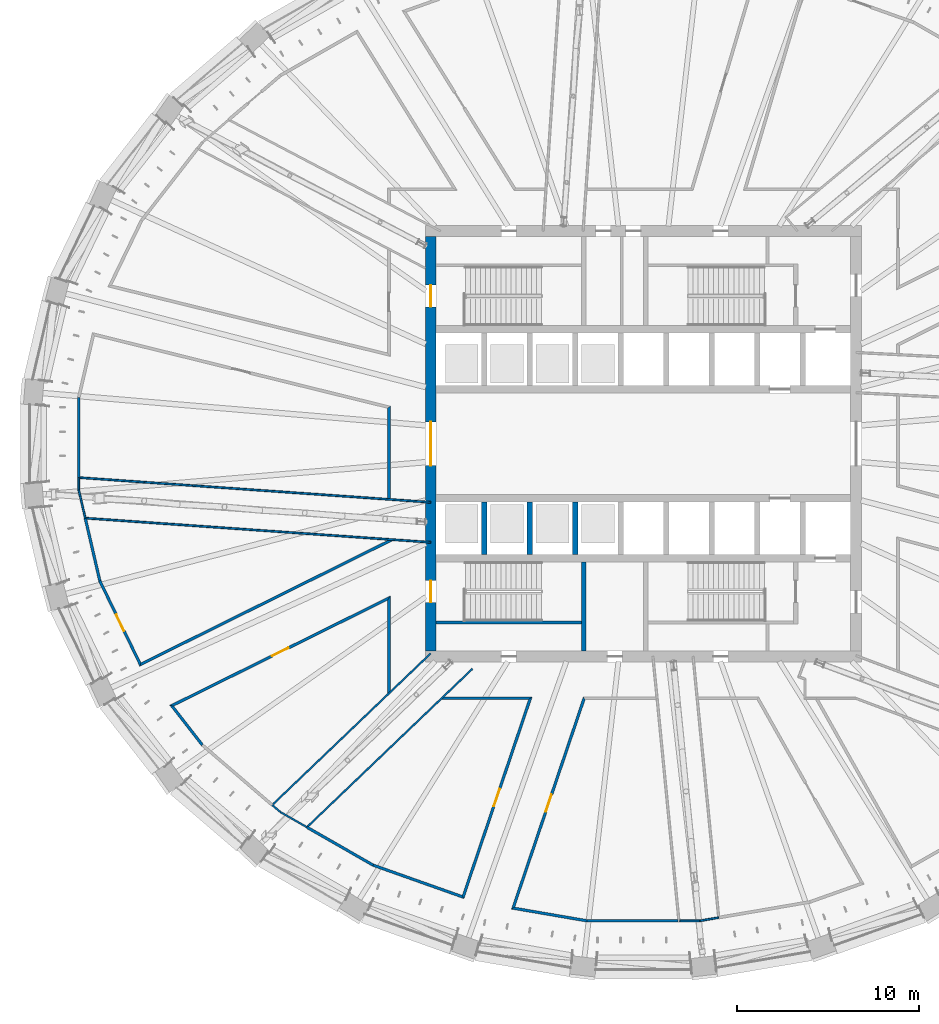
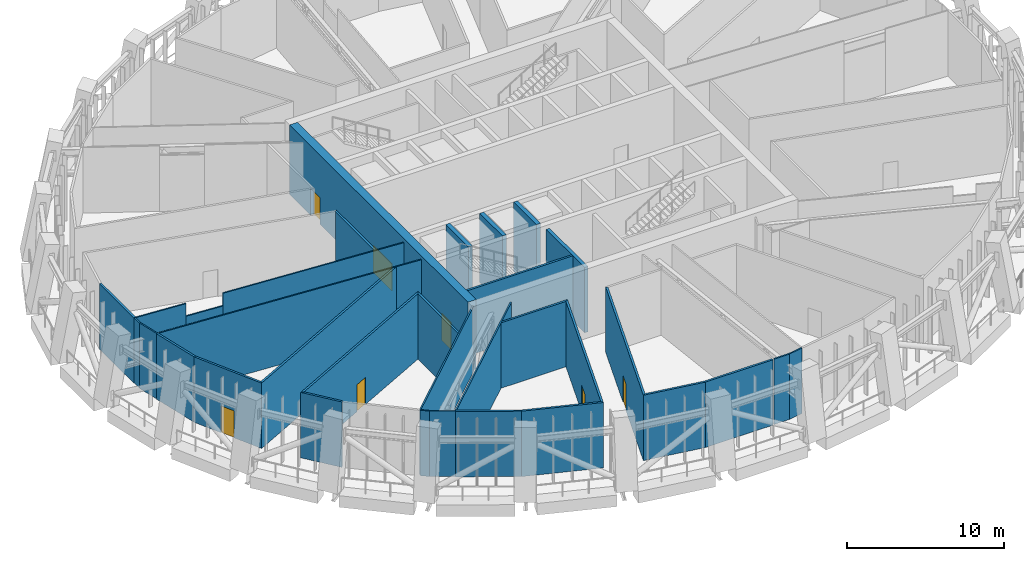
# One storey, part 7 of 21: 33 walls, 7 doors, 7 openings.
"""IFC4 building model written with IfcOpenShell, lengths in metres."""

from ifc_helpers import new_model, si_unit, direction, frame, frame_2d, origin, place, context, subcontext, project, spatial, polyline, rectangle, outline, extrude, material, layer, layer_set, type_object, element, fill, save


model = new_model("IFC4")

# Units and contexts
model_context = context("Model", 3, precision=1e-05, world=origin(), true_north=direction((0.0, 1.0)))
body_context = subcontext(model_context, "Body", "Model", "MODEL_VIEW")
ifc_project = project(units=[si_unit("LENGTHUNIT", "METRE"), si_unit("AREAUNIT", "SQUARE_METRE"), si_unit("VOLUMEUNIT", "CUBIC_METRE"), si_unit("PLANEANGLEUNIT", "RADIAN"), si_unit("MASSUNIT", "GRAM", prefix="KILO")], contexts=[model_context])

# Site, building, storey
site_placement = place(None, origin())
site = spatial("IfcSite", under=ifc_project, at=site_placement, CompositionType="ELEMENT")
building_placement = place(site_placement, origin())
building = spatial("IfcBuilding", under=site, at=building_placement, Name="Halqa Exchange Tower", CompositionType="ELEMENT")
storey_placement = place(building_placement, frame((0.0, 0.0, 173.5)))
storey = spatial("IfcBuildingStorey", under=building, at=storey_placement, Name="L39", CompositionType="ELEMENT", Elevation=173.5)

# Walls
ifc_material_1 = material(Name="Fire-rated gypsum board")
ifc_layer_1 = layer(ifc_material_1, 0.14990234375)
ifc_layer_set_1 = layer_set([ifc_layer_1], Name="Fire-rated gypsum board")
wall_type_1 = type_object("IfcWallType", Name="Fire partition EI 60 150", PredefinedType="PARTITIONING", material=ifc_layer_set_1)
wall_1_placement = place(storey_placement, frame((-31.06005859375, 2.548583984375, 0.0), z_axis=(0.0, 0.0, 1.0), x_axis=(0.0, -1.0, 0.0)))
element("IfcWall", 1, at=wall_1_placement, inside=storey, type_object=wall_type_1, Name="L39-PWL-004", PredefinedType="PARTITIONING", context=body_context, shape_type="SweptSolid", body=[
    extrude(outline(polyline([(4.40869140625, 0.074951171875), (2.94482421875, 0.074951171875), (1.48095703125, 0.074951171875), (0.01708984375, 0.074951171875), (0.0, -0.07470703125), (0.0, -0.074951171875), (1.469482421875, -0.074951171875), (2.939208984375, -0.074951171875), (4.40869140625, -0.074951171875), (4.40869140625, 0.074951171875)])), origin(), (0.0, 0.0, 1.0), 5.10009765625),
])
wall_2_placement = place(storey_placement, frame((-30.699951171875, -4.090087890625, 0.0), z_axis=(0.0, 0.0, 1.0), x_axis=(0.225863996514, -0.974158844891, 0.0)))
element("IfcWall", 2, at=wall_2_placement, inside=storey, type_object=wall_type_1, Name="L39-PWL-005", PredefinedType="PARTITIONING", context=body_context, shape_type="SweptSolid", body=[
    extrude(outline(polyline([(3.5498046875, -0.074951171875), (3.5498046875, -0.074462890625), (3.532958984375, 0.074951171875), (1.7666015625, 0.074951171875), (0.0, 0.074951171875), (0.0, -0.074951171875), (1.77490234375, -0.074951171875), (3.5498046875, -0.074951171875)])), origin(), (0.0, 0.0, 1.0), 5.10009765625),
])

# Wall, opening, door
wall_3_placement = place(storey_placement, frame((-29.90380859375, -7.532470703125, 0.0), z_axis=(0.0, 0.0, 1.0), x_axis=(0.436260825618, -0.899820255402, 0.0)))
wall_3 = element("IfcWall", 3, at=wall_3_placement, inside=storey, type_object=wall_type_1, Name="L39-PWL-008", PredefinedType="PARTITIONING", context=body_context, shape_type="SweptSolid", body=[
    extrude(outline(polyline([(0.0, -0.074951171875), (1.73193359375, -0.074951171875), (3.464111328125, -0.074951171875), (5.196044921875, -0.074951171875), (5.044677734375, 0.074951171875), (3.368896484375, 0.074951171875), (1.69287109375, 0.074951171875), (0.016845703125, 0.074951171875), (0.0, -0.074951171875)])), origin(), (0.0, 0.0, 1.0), 5.10009765625),
])
opening_1_placement = place(wall_3_placement, frame((2.064453125, 0.0, 0.0)))
opening_1 = element("IfcOpeningElement", 4, at=opening_1_placement, cuts=wall_3, Name="Opening L39-01", PredefinedType="OPENING", context=body_context, shape_type="SweptSolid", body=[
    extrude(rectangle(XDim=1.0, YDim=2.10009765625, at=frame_2d((0.5, 1.050048828125))), frame((0.0, 0.0869140625, 0.0), z_axis=(0.0, -1.0, 0.0), x_axis=(1.0, 0.0, 0.0)), (0.0, 0.0, 1.0), 0.173828125),
])
ifc_material_2 = material(Name="Steel fire door leaf", Category="steel")
door_type_1 = type_object("IfcDoorType", Name="Fire door FD30S 1000 x 2100", OperationType="SINGLE_SWING_LEFT", PredefinedType="DOOR", material=ifc_material_2)
door_1_placement = place(opening_1_placement, origin())
door_1 = element("IfcDoor", 5, at=door_1_placement, inside=storey, type_object=door_type_1, Name="L39-IDR-001", OperationType="SINGLE_SWING_LEFT", OverallHeight=2.10009765625, OverallWidth=1.0, PredefinedType="DOOR", context=body_context, shape_type="SweptSolid", body=[
    extrude(rectangle(XDim=1.0, YDim=2.10009765625, at=frame_2d((0.5, 1.050048828125))), frame((0.0, 0.02490234375, 0.0), z_axis=(0.0, -1.0, 0.0), x_axis=(1.0, 0.0, 0.0)), (0.0, 0.0, 1.0), 0.050048828125),
])
fill(opening_1, door_1)

# Wall
wall_4_placement = place(storey_placement, frame((-27.73779296875, -12.173583984375, 0.0), z_axis=(0.0, 0.0, 1.0), x_axis=(0.895862761008, 0.444330860327, 0.0)))
element("IfcWall", 6, at=wall_4_placement, inside=storey, type_object=wall_type_1, Name="L39-PWL-010", PredefinedType="PARTITIONING", context=body_context, shape_type="SweptSolid", body=[
    extrude(outline(polyline([(0.0, -0.074951171875), (1.945068359375, -0.074951171875), (3.89013671875, -0.074951171875), (5.835205078125, -0.074951171875), (7.7802734375, -0.074951171875), (9.725341796875, -0.074951171875), (11.67041015625, -0.074951171875), (13.61572265625, -0.074951171875), (15.560791015625, -0.074951171875), (15.30517578125, 0.074951171875), (13.410888671875, 0.074951171875), (11.5166015625, 0.074951171875), (9.62255859375, 0.074951171875), (7.728271484375, 0.074951171875), (5.833984375, 0.074951171875), (3.939697265625, 0.074951171875), (2.045654296875, 0.074951171875), (0.1513671875, 0.074951171875), (0.1513671875, 0.074951171875), (0.07568359375, 0.0), (0.0, -0.074951171875)])), origin(), (0.0, 0.0, 1.0), 5.10009765625),
])

# Wall, opening, door
wall_5_placement = place(storey_placement, frame((-26.025146484375, -14.447265625, 0.0), z_axis=(0.0, 0.0, 1.0), x_axis=(0.896069053311, 0.443914689663, 0.0)))
wall_5 = element("IfcWall", 7, at=wall_5_placement, inside=storey, type_object=wall_type_1, Name="L39-PWL-012", PredefinedType="PARTITIONING", context=body_context, shape_type="SweptSolid", body=[
    extrude(outline(polyline([(0.183837890625, -0.074951171875), (2.057373046875, -0.074951171875), (3.930908203125, -0.074951171875), (5.8046875, -0.074951171875), (7.67822265625, -0.074951171875), (9.5517578125, -0.074951171875), (11.425537109375, -0.074951171875), (13.299072265625, -0.074951171875), (13.540771484375, 0.074951171875), (11.6064453125, 0.074951171875), (9.671875, 0.074951171875), (7.737548828125, 0.074951171875), (5.80322265625, 0.074951171875), (3.868896484375, 0.074951171875), (1.9345703125, 0.074951171875), (0.000244140625, 0.074951171875), (0.183837890625, -0.074951171875)])), origin(), (0.0, 0.0, 1.0), 5.10009765625),
])
opening_2_placement = place(wall_5_placement, frame((6.25634765625, 0.0, 0.0)))
opening_2 = element("IfcOpeningElement", 8, at=opening_2_placement, cuts=wall_5, Name="Opening L39-02", PredefinedType="OPENING", context=body_context, shape_type="SweptSolid", body=[
    extrude(rectangle(XDim=1.0, YDim=2.10009765625, at=frame_2d((0.5, 1.050048828125))), frame((0.0, 0.0869140625, 0.0), z_axis=(0.0, -1.0, 0.0), x_axis=(1.0, 0.0, 0.0)), (0.0, 0.0, 1.0), 0.173828125),
])
door_2_placement = place(opening_2_placement, frame((1.0, 0.0, 0.0), z_axis=(0.0, 0.0, 1.0), x_axis=(-1.0, 0.0, 0.0)))
door_2 = element("IfcDoor", 9, at=door_2_placement, inside=storey, type_object=door_type_1, Name="L39-IDR-002", OperationType="SINGLE_SWING_RIGHT", OverallHeight=2.10009765625, OverallWidth=1.0, PredefinedType="DOOR", context=body_context, shape_type="SweptSolid", body=[
    extrude(rectangle(XDim=1.0, YDim=2.10009765625, at=frame_2d((0.5, 1.050048828125))), frame((0.0, 0.02490234375, 0.0), z_axis=(0.0, -1.0, 0.0), x_axis=(1.0, 0.0, 0.0)), (0.0, 0.0, 1.0), 0.050048828125),
])
fill(opening_2, door_2)

# Walls
wall_6_placement = place(storey_placement, frame((-25.999267578125, -14.333984375, 0.0), z_axis=(0.0, 0.0, 1.0), x_axis=(0.613976317257, -0.789324446503, 0.0)))
element("IfcWall", 10, at=wall_6_placement, inside=storey, type_object=wall_type_1, Name="L39-PWL-013", PredefinedType="PARTITIONING", context=body_context, shape_type="SweptSolid", body=[
    extrude(outline(polyline([(0.0, -0.074951171875), (1.420166015625, -0.074951171875), (2.84033203125, -0.074951171875), (2.8251953125, 0.074951171875), (1.50439453125, 0.074951171875), (0.18359375, 0.074951171875), (0.0, -0.074951171875), (0.0, -0.074951171875)])), origin(), (0.0, 0.0, 1.0), 5.10009765625),
])
wall_7_placement = place(storey_placement, frame((-18.510009765625, -21.090087890625, 0.0), z_axis=(0.0, 0.0, 1.0), x_axis=(0.867822013589, -0.496875188281, 0.0)))
element("IfcWall", 11, at=wall_7_placement, inside=storey, type_object=wall_type_1, Name="L39-PWL-025", PredefinedType="PARTITIONING", context=body_context, shape_type="SweptSolid", body=[
    extrude(outline(polyline([(0.0, -0.074951171875), (1.404296875, -0.074951171875), (2.80859375, -0.074951171875), (4.212646484375, -0.074951171875), (4.19921875, 0.074951171875), (2.799560546875, 0.074951171875), (1.399658203125, 0.074951171875), (0.0, 0.074951171875), (0.0, -0.074951171875)])), origin(), (0.0, 0.0, 1.0), 5.10009765625),
])
wall_8_placement = place(storey_placement, frame((-14.866455078125, -23.177734375, 0.0), z_axis=(0.0, 0.0, 1.0), x_axis=(0.942606176861, -0.333906566786, 0.0)))
element("IfcWall", 12, at=wall_8_placement, inside=storey, type_object=wall_type_1, Name="L39-PWL-028", PredefinedType="PARTITIONING", context=body_context, shape_type="SweptSolid", body=[
    extrude(outline(polyline([(0.0, -0.074951171875), (1.774658203125, -0.074951171875), (3.549072265625, -0.074951171875), (5.32373046875, -0.074951171875), (5.171630859375, 0.074951171875), (3.4521484375, 0.074951171875), (1.73291015625, 0.074951171875), (0.013671875, 0.074951171875), (0.0, -0.074951171875)])), origin(), (0.0, 0.0, 1.0), 5.10009765625),
])
wall_9_placement = place(storey_placement, frame((-14.0, -13.732421875, 0.0), z_axis=(0.0, 0.0, 1.0), x_axis=(0.0, 1.0, 0.0)))
element("IfcWall", 13, at=wall_9_placement, inside=storey, type_object=wall_type_1, Name="L39-PWL-029", PredefinedType="PARTITIONING", context=body_context, shape_type="SweptSolid", body=[
    extrude(outline(polyline([(0.1435546875, -0.074951171875), (1.883544921875, -0.074951171875), (3.623291015625, -0.074951171875), (5.36328125, -0.074951171875), (5.242431640625, 0.0), (5.12158203125, 0.074951171875), (3.41455078125, 0.074951171875), (1.707275390625, 0.074951171875), (0.000244140625, 0.074951171875), (0.1435546875, -0.074951171875)])), origin(), (0.0, 0.0, 1.0), 5.10009765625),
])
wall_10_placement = place(storey_placement, frame((-14.0, -3.013427734375, 0.0), z_axis=(0.0, 0.0, 1.0), x_axis=(0.0, 1.0, 0.0)))
element("IfcWall", 14, at=wall_10_placement, inside=storey, type_object=wall_type_1, Name="L39-PWL-030", PredefinedType="PARTITIONING", context=body_context, shape_type="SweptSolid", body=[
    extrude(outline(polyline([(5.08203125, -0.074951171875), (5.08203125, -0.074951171875), (5.0234375, 0.0), (4.96484375, 0.074951171875), (3.313232421875, 0.074951171875), (1.661865234375, 0.074951171875), (0.010498046875, 0.074951171875), (0.0, -0.07275390625), (0.0, -0.074951171875), (1.694091796875, -0.074951171875), (3.387939453125, -0.074951171875), (5.08203125, -0.074951171875)])), origin(), (0.0, 0.0, 1.0), 5.10009765625),
])

# Wall, opening, door
wall_11_placement = place(storey_placement, frame((-9.9443359375, -25.001953125, 0.0), z_axis=(0.0, 0.0, 1.0), x_axis=(0.320636430017, 0.947202343613, 0.0)))
wall_11 = element("IfcWall", 15, at=wall_11_placement, inside=storey, type_object=wall_type_1, Name="L39-PWL-036", PredefinedType="PARTITIONING", context=body_context, shape_type="SweptSolid", body=[
    extrude(outline(polyline([(0.0, -0.074951171875), (1.953369140625, -0.074951171875), (3.906494140625, -0.074951171875), (5.85986328125, -0.074951171875), (7.81298828125, -0.074951171875), (9.766357421875, -0.074951171875), (11.7197265625, -0.074951171875), (11.5107421875, 0.074951171875), (9.617431640625, 0.074951171875), (7.724365234375, 0.074951171875), (5.831298828125, 0.074951171875), (3.938232421875, 0.074951171875), (2.045166015625, 0.074951171875), (0.15185546875, 0.074951171875), (0.0, -0.074951171875), (0.0, -0.074951171875)])), origin(), (0.0, 0.0, 1.0), 5.10009765625),
])
opening_3_placement = place(wall_11_placement, frame((5.345703125, 0.0, 0.0)))
opening_3 = element("IfcOpeningElement", 16, at=opening_3_placement, cuts=wall_11, Name="Opening L39-03", PredefinedType="OPENING", context=body_context, shape_type="SweptSolid", body=[
    extrude(rectangle(XDim=1.0, YDim=2.10009765625, at=frame_2d((0.5, 1.050048828125))), frame((0.0, 0.0869140625, 0.0), z_axis=(0.0, -1.0, 0.0), x_axis=(1.0, 0.0, 0.0)), (0.0, 0.0, 1.0), 0.173828125),
])
door_3_placement = place(opening_3_placement, origin())
door_3 = element("IfcDoor", 17, at=door_3_placement, inside=storey, type_object=door_type_1, Name="L39-IDR-003", OperationType="SINGLE_SWING_LEFT", OverallHeight=2.10009765625, OverallWidth=1.0, PredefinedType="DOOR", context=body_context, shape_type="SweptSolid", body=[
    extrude(rectangle(XDim=1.0, YDim=2.10009765625, at=frame_2d((0.5, 1.050048828125))), frame((0.0, 0.02490234375, 0.0), z_axis=(0.0, -1.0, 0.0), x_axis=(1.0, 0.0, 0.0)), (0.0, 0.0, 1.0), 0.050048828125),
])
fill(opening_3, door_3)

# Walls
wall_12_placement = place(storey_placement, frame((-7.256591796875, -25.525146484375, 0.0), z_axis=(0.0, 0.0, 1.0), x_axis=(0.985526115986, -0.16952367006, 0.0)))
element("IfcWall", 18, at=wall_12_placement, inside=storey, type_object=wall_type_1, Name="L39-PWL-038", PredefinedType="PARTITIONING", context=body_context, shape_type="SweptSolid", body=[
    extrude(outline(polyline([(4.223876953125, -0.074951171875), (4.223876953125, -0.0732421875), (4.211181640625, 0.074951171875), (2.865966796875, 0.074951171875), (1.520751953125, 0.074951171875), (0.175537109375, 0.074951171875), (0.0, -0.074951171875), (1.407958984375, -0.074951171875), (2.81591796875, -0.074951171875), (4.223876953125, -0.074951171875)])), origin(), (0.0, 0.0, 1.0), 5.10009765625),
])
wall_13_placement = place(storey_placement, frame((-6.115478515625, -14.0, 0.0), z_axis=(0.0, 0.0, 1.0), x_axis=(-1.0, 0.0, 0.0)))
element("IfcWall", 19, at=wall_13_placement, inside=storey, type_object=wall_type_1, Name="L39-PWL-040", PredefinedType="PARTITIONING", context=body_context, shape_type="SweptSolid", body=[
    extrude(outline(polyline([(0.0, -0.074951171875), (1.611328125, -0.074951171875), (3.22265625, -0.074951171875), (4.833740234375, -0.074951171875), (4.990478515625, 0.074951171875), (3.396728515625, 0.074951171875), (1.802978515625, 0.074951171875), (0.208984375, 0.074951171875), (0.1044921875, 0.0), (0.0, -0.074951171875)])), origin(), (0.0, 0.0, 1.0), 5.10009765625),
])

# Wall, opening, door
wall_14_placement = place(storey_placement, frame((-3.24267578125, -13.94921875, 0.0), z_axis=(0.0, 0.0, 1.0), x_axis=(-0.320918229821, -0.947106905142, 0.0)))
wall_14 = element("IfcWall", 20, at=wall_14_placement, inside=storey, type_object=wall_type_1, Name="L39-PWL-044", PredefinedType="PARTITIONING", context=body_context, shape_type="SweptSolid", body=[
    extrude(outline(polyline([(12.32568359375, -0.074951171875), (12.32568359375, -0.07470703125), (12.150390625, 0.074951171875), (10.429931640625, 0.074951171875), (8.709716796875, 0.074951171875), (6.9892578125, 0.074951171875), (5.268798828125, 0.074951171875), (3.54833984375, 0.074951171875), (1.827880859375, 0.074951171875), (0.107421875, 0.074951171875), (0.0, -0.074951171875), (0.0, -0.074951171875), (1.7607421875, -0.074951171875), (3.521728515625, -0.074951171875), (5.282470703125, -0.074951171875), (7.043212890625, -0.074951171875), (8.803955078125, -0.074951171875), (10.56494140625, -0.074951171875), (12.32568359375, -0.074951171875)])), origin(), (0.0, 0.0, 1.0), 5.10009765625),
])
opening_4_placement = place(wall_14_placement, frame((5.64599609375, 0.0, 0.0)))
opening_4 = element("IfcOpeningElement", 21, at=opening_4_placement, cuts=wall_14, Name="Opening L39-04", PredefinedType="OPENING", context=body_context, shape_type="SweptSolid", body=[
    extrude(rectangle(XDim=1.0, YDim=2.10009765625, at=frame_2d((0.5, 1.050048828125))), frame((0.0, 0.0869140625, 0.0), z_axis=(0.0, -1.0, 0.0), x_axis=(1.0, 0.0, 0.0)), (0.0, 0.0, 1.0), 0.173828125),
])
door_4_placement = place(opening_4_placement, origin())
door_4 = element("IfcDoor", 22, at=door_4_placement, inside=storey, type_object=door_type_1, Name="L39-IDR-004", OperationType="SINGLE_SWING_RIGHT", OverallHeight=2.10009765625, OverallWidth=1.0, PredefinedType="DOOR", context=body_context, shape_type="SweptSolid", body=[
    extrude(rectangle(XDim=1.0, YDim=2.10009765625, at=frame_2d((0.5, 1.050048828125))), frame((0.0, 0.02490234375, 0.0), z_axis=(0.0, -1.0, 0.0), x_axis=(1.0, 0.0, 0.0)), (0.0, 0.0, 1.0), 0.050048828125),
])
fill(opening_4, door_4)

# Walls
wall_15_placement = place(storey_placement, frame((-3.1064453125, -26.239990234375, 0.0), z_axis=(0.0, 0.0, 1.0), x_axis=(1.0, 0.0, 0.0)))
element("IfcWall", 23, at=wall_15_placement, inside=storey, type_object=wall_type_1, Name="L39-PWL-046", PredefinedType="PARTITIONING", context=body_context, shape_type="SweptSolid", body=[
    extrude(outline(polyline([(4.9990234375, 0.074951171875), (3.3369140625, 0.074951171875), (1.6748046875, 0.074951171875), (0.012939453125, 0.074951171875), (0.0, -0.074951171875), (1.666259765625, -0.074951171875), (3.332763671875, -0.074951171875), (4.9990234375, -0.074951171875), (4.9990234375, 0.074951171875)])), origin(), (0.0, 0.0, 1.0), 5.10009765625),
])
ifc_material_3 = material(Name="Gypsum board")
ifc_layer_2 = layer(ifc_material_3, 0.10009765625)
ifc_layer_set_2 = layer_set([ifc_layer_2], Name="Gypsum board")
wall_type_2 = type_object("IfcWallType", Name="Partition 100 gypsum", PredefinedType="PARTITIONING", material=ifc_layer_set_2)
wall_16_placement = place(storey_placement, frame((-31.061279296875, -2.534423828125, 0.0), z_axis=(0.0, 0.0, 1.0), x_axis=(0.226243673925, -0.974070736656, 0.0)))
element("IfcWall", 24, at=wall_16_placement, inside=storey, type_object=wall_type_2, Name="L39-PWL-001", PredefinedType="PARTITIONING", context=body_context, shape_type="SweptSolid", body=[
    extrude(outline(polyline([(1.59716796875, 0.050048828125), (0.011474609375, 0.050048828125), (0.0, -0.050048828125), (0.0, -0.050048828125), (1.59716796875, -0.050048828125), (1.59716796875, 0.050048828125)])), origin(), (0.0, 0.0, 1.0), 5.10009765625),
])
wall_17_placement = place(storey_placement, frame((-31.06005859375, -1.860107421875, 0.0), z_axis=(0.0, 0.0, 1.0), x_axis=(0.0, -1.0, 0.0)))
element("IfcWall", 25, at=wall_17_placement, inside=storey, type_object=wall_type_2, Name="L39-PWL-002", PredefinedType="PARTITIONING", context=body_context, shape_type="SweptSolid", body=[
    extrude(outline(polyline([(0.685546875, -0.050048828125), (0.685546875, -0.04931640625), (0.674072265625, 0.050048828125), (0.0, 0.050048828125), (0.0, -0.050048828125), (0.685546875, -0.050048828125)])), origin(), (0.0, 0.0, 1.0), 5.10009765625),
])
wall_18_placement = place(storey_placement, frame((-31.006103515625, -1.86376953125, 0.0), z_axis=(0.0, 0.0, 1.0), x_axis=(0.997538288544, -0.070123910963, 0.0)))
element("IfcWall", 26, at=wall_18_placement, inside=storey, type_object=wall_type_2, Name="L39-PWL-003", PredefinedType="PARTITIONING", context=body_context, shape_type="SweptSolid", body=[
    extrude(outline(polyline([(3.568603515625, 0.050048828125), (1.793212890625, 0.050048828125), (0.017578125, 0.050048828125), (0.020751953125, 0.005126953125), (0.0, 0.003662109375), (0.0, -0.050048828125), (1.7841796875, -0.050048828125), (3.568603515625, -0.050048828125), (3.568603515625, 0.050048828125)])), origin(), (0.0, 0.0, 1.0), 5.10009765625),
])
wall_19_placement = place(storey_placement, frame((-30.6630859375, -4.092529296875, 0.0), z_axis=(0.0, 0.0, 1.0), x_axis=(0.997554527723, -0.069892519053, 0.0)))
element("IfcWall", 27, at=wall_19_placement, inside=storey, type_object=wall_type_2, Name="L39-PWL-006", PredefinedType="PARTITIONING", context=body_context, shape_type="SweptSolid", body=[
    extrude(outline(polyline([(0.056884765625, -0.050048828125), (1.900146484375, -0.050048828125), (3.74365234375, -0.050048828125), (5.5869140625, -0.050048828125), (7.430419921875, -0.050048828125), (9.27392578125, -0.050048828125), (11.1171875, -0.050048828125), (12.960693359375, -0.050048828125), (14.803955078125, -0.050048828125), (16.6474609375, -0.050048828125), (16.6513671875, -0.047607421875), (16.65283203125, -0.050048828125), (19.00927734375, -0.050048828125), (19.00927734375, 0.050048828125), (17.1083984375, 0.050048828125), (15.20751953125, 0.050048828125), (13.306396484375, 0.050048828125), (11.405517578125, 0.050048828125), (9.504638671875, 0.050048828125), (7.603759765625, 0.050048828125), (5.702880859375, 0.050048828125), (3.8017578125, 0.050048828125), (1.90087890625, 0.050048828125), (0.0, 0.050048828125), (0.0, 0.0498046875), (0.0107421875, 0.0146484375), (0.0, 0.01123046875), (0.0, 0.01123046875), (0.03466796875, 0.02197265625), (0.056884765625, -0.050048828125)])), origin(), (0.0, 0.0, 1.0), 5.10009765625),
])
wall_20_placement = place(storey_placement, frame((-20.419921875, -19.8701171875, 0.0), z_axis=(0.0, 0.0, 1.0), x_axis=(0.762791438703, -0.646644586339, 0.0)))
element("IfcWall", 28, at=wall_20_placement, inside=storey, type_object=wall_type_2, Name="L39-PWL-020", PredefinedType="PARTITIONING", context=body_context, shape_type="SweptSolid", body=[
    extrude(outline(polyline([(0.607421875, -0.050048828125), (0.607421875, -0.048828125), (0.598388671875, 0.050048828125), (0.0, 0.050048828125), (0.0, -0.050048828125), (0.607421875, -0.050048828125)])), origin(), (0.0, 0.0, 1.0), 5.10009765625),
])
wall_21_placement = place(storey_placement, frame((-20.37939453125, -19.831298828125, 0.0), z_axis=(0.0, 0.0, 1.0), x_axis=(0.722675408286, 0.691187568073, 0.0)))
element("IfcWall", 29, at=wall_21_placement, inside=storey, type_object=wall_type_2, Name="L39-PWL-021", PredefinedType="PARTITIONING", context=body_context, shape_type="SweptSolid", body=[
    extrude(outline(polyline([(12.01025390625, 0.050048828125), (10.49462890625, 0.050048828125), (8.97900390625, 0.050048828125), (8.9765625, 0.04736328125), (8.973876953125, 0.050048828125), (7.181884765625, 0.050048828125), (5.39013671875, 0.050048828125), (3.59814453125, 0.050048828125), (1.806396484375, 0.050048828125), (0.014404296875, 0.050048828125), (0.0185546875, 0.00732421875), (0.0, 0.005615234375), (0.0, -0.050048828125), (1.7158203125, -0.050048828125), (3.431396484375, -0.050048828125), (5.147216796875, -0.050048828125), (6.863037109375, -0.050048828125), (8.578857421875, -0.050048828125), (10.29443359375, -0.050048828125), (12.01025390625, -0.050048828125), (12.01025390625, 0.050048828125)])), origin(), (0.0, 0.0, 1.0), 5.10009765625),
])
wall_22_placement = place(storey_placement, frame((-19.964111328125, -20.2578125, 0.0), z_axis=(0.0, 0.0, 1.0), x_axis=(0.867893204515, -0.496750828441, 0.0)))
element("IfcWall", 30, at=wall_22_placement, inside=storey, type_object=wall_type_2, Name="L39-PWL-022", PredefinedType="PARTITIONING", context=body_context, shape_type="SweptSolid", body=[
    extrude(outline(polyline([(1.675537109375, 0.050048828125), (0.00927734375, 0.050048828125), (0.0, -0.050048828125), (1.675537109375, -0.050048828125), (1.675537109375, 0.050048828125)])), origin(), (0.0, 0.0, 1.0), 5.10009765625),
])
wall_23_placement = place(storey_placement, frame((-18.48291015625, -21.064208984375, 0.0), z_axis=(0.0, 0.0, 1.0), x_axis=(0.722534616371, 0.691334743916, 0.0)))
element("IfcWall", 31, at=wall_23_placement, inside=storey, type_object=wall_type_2, Name="L39-PWL-026", PredefinedType="PARTITIONING", context=body_context, shape_type="SweptSolid", body=[
    extrude(outline(polyline([(0.0556640625, -0.050048828125), (1.775390625, -0.050048828125), (3.4951171875, -0.050048828125), (5.215087890625, -0.050048828125), (6.934814453125, -0.050048828125), (8.654541015625, -0.050048828125), (10.374267578125, -0.050048828125), (10.37646484375, -0.047607421875), (10.37890625, -0.050048828125), (12.559326171875, -0.050048828125), (12.559326171875, 0.050048828125), (10.76513671875, 0.050048828125), (8.970947265625, 0.050048828125), (7.1767578125, 0.050048828125), (5.382568359375, 0.050048828125), (3.58837890625, 0.050048828125), (1.794189453125, 0.050048828125), (0.0, 0.050048828125), (0.0, 0.050048828125), (0.010498046875, 0.014404296875), (0.0, 0.01123046875), (0.0, 0.01123046875), (0.03466796875, 0.021240234375), (0.0556640625, -0.050048828125)])), origin(), (0.0, 0.0, 1.0), 5.10009765625),
])
wall_24_placement = place(storey_placement, frame((1.95751953125, -26.239990234375, 0.0), z_axis=(0.0, 0.0, 1.0), x_axis=(1.0, 0.0, 0.0)))
element("IfcWall", 32, at=wall_24_placement, inside=storey, type_object=wall_type_2, Name="L39-PWL-052", PredefinedType="PARTITIONING", context=body_context, shape_type="SweptSolid", body=[
    extrude(outline(polyline([(1.146728515625, -0.050048828125), (1.146728515625, -0.049560546875), (1.142578125, 0.0), (1.13818359375, 0.050048828125), (1.13818359375, 0.050048828125), (1.13818359375, 0.050048828125), (0.037841796875, 0.050048828125), (0.047119140625, -0.044921875), (0.0, -0.049560546875), (0.0, -0.050048828125), (1.146728515625, -0.050048828125)])), origin(), (0.0, 0.0, 1.0), 5.10009765625),
])
wall_25_placement = place(storey_placement, frame((3.095703125, -26.24072265625, 0.0), z_axis=(0.0, 0.0, 1.0), x_axis=(0.985360182955, 0.170485512132, 0.0)))
element("IfcWall", 33, at=wall_25_placement, inside=storey, type_object=wall_type_2, Name="L39-PWL-055", PredefinedType="PARTITIONING", context=body_context, shape_type="SweptSolid", body=[
    extrude(outline(polyline([(1.059814453125, 0.050048828125), (0.008544921875, 0.050048828125), (0.0, -0.050048828125), (1.059814453125, -0.050048828125), (1.059814453125, 0.050048828125)])), origin(), (0.0, 0.0, 1.0), 5.10009765625),
])
wall_26_placement = place(storey_placement, frame((-27.4462890625, -2.114013671875, 0.0), z_axis=(0.0, 0.0, 1.0), x_axis=(0.99754221713, -0.070068002987, 0.0)))
element("IfcWall", 34, at=wall_26_placement, inside=storey, type_object=wall_type_2, Name="L39-PWL-104", PredefinedType="PARTITIONING", context=body_context, shape_type="SweptSolid", body=[
    extrude(outline(polyline([(0.0, 0.050048828125), (0.0, -0.050048828125), (1.317138671875, -0.050048828125), (2.63427734375, -0.050048828125), (2.63427734375, 0.050048828125), (1.317138671875, 0.050048828125), (0.0, 0.050048828125)])), origin(), (0.0, 0.0, 1.0), 4.110107421875),
])
wall_27_placement = place(storey_placement, frame((-24.818603515625, -2.298583984375, 0.0), z_axis=(0.0, 0.0, 1.0), x_axis=(0.997542620022, -0.070062266869, 0.0)))
element("IfcWall", 35, at=wall_27_placement, inside=storey, type_object=wall_type_2, Name="L39-PWL-105", PredefinedType="PARTITIONING", context=body_context, shape_type="SweptSolid", body=[
    extrude(outline(polyline([(0.0, 0.050048828125), (0.0, -0.050048828125), (1.878662109375, -0.050048828125), (3.75732421875, -0.050048828125), (5.635986328125, -0.050048828125), (7.514892578125, -0.050048828125), (9.3935546875, -0.050048828125), (11.272216796875, -0.050048828125), (13.15087890625, -0.050048828125), (13.15087890625, 0.050048828125), (11.272216796875, 0.050048828125), (9.3935546875, 0.050048828125), (7.514892578125, 0.050048828125), (5.635986328125, 0.050048828125), (3.75732421875, 0.050048828125), (1.878662109375, 0.050048828125), (0.0, 0.050048828125)])), origin(), (0.0, 0.0, 1.0), 5.10009765625),
])
ifc_material_4 = material(Name="Concrete C60/75", Category="concrete")
ifc_layer_3 = layer(ifc_material_4, 0.300048828125)
ifc_layer_set_3 = layer_set([ifc_layer_3], Name="Concrete C60/75")
wall_type_3 = type_object("IfcWallType", Name="RC core wall 300", PredefinedType="SHEAR", material=ifc_layer_set_3)
for number, where, z_axis, x_axis, name in (
    (36, (-8.75, -6.10009765625, 0.0), (0.0, 0.0, 1.0), (0.0, 1.0, 0.0), "Shaft divider S1"),
    (37, (-6.25, -6.10009765625, 0.0), (0.0, 0.0, 1.0), (0.0, 1.0, 0.0), "Shaft divider S2"),
    (38, (-3.75, -6.10009765625, 0.0), (0.0, 0.0, 1.0), (0.0, 1.0, 0.0), "Shaft divider S3"),
):
    element("IfcWall", number, at=place(storey_placement, frame(where, z_axis=z_axis, x_axis=x_axis)), inside=storey, type_object=wall_type_3, Name=name, PredefinedType="SHEAR", context=body_context, shape_type="SweptSolid", body=[
        extrude(rectangle(XDim=2.900146484375, YDim=0.300048828125, at=frame_2d((1.4501953125, 0.0))), origin(), (0.0, 0.0, 1.0), 5.39990234375),
    ])

# Wall, openings, doors
ifc_material_5 = material(Name="Concrete C70/85", Category="concrete")
ifc_layer_4 = layer(ifc_material_5, 0.60009765625)
ifc_layer_set_4 = layer_set([ifc_layer_4], Name="Concrete C70/85")
wall_type_4 = type_object("IfcWallType", Name="RC core wall 600 C70/85", PredefinedType="SHEAR", material=ifc_layer_set_4)
wall_28_placement = place(storey_placement, frame((-11.699951171875, -11.39990234375, 0.0), z_axis=(0.0, 0.0, 1.0), x_axis=(0.0, 1.0, 0.0)))
wall_28 = element("IfcWall", 39, at=wall_28_placement, inside=storey, type_object=wall_type_4, Name="Core wall west", PredefinedType="SHEAR", context=body_context, shape_type="SweptSolid", body=[
    extrude(rectangle(XDim=22.7998046875, YDim=0.60009765625, at=frame_2d((11.39990234375, 0.0))), origin(), (0.0, 0.0, 1.0), 5.39990234375),
])
opening_5_placement = place(wall_28_placement, frame((10.199951171875, 0.0, 0.0)))
opening_5 = element("IfcOpeningElement", 40, at=opening_5_placement, cuts=wall_28, Name="Opening L39-C05", PredefinedType="OPENING", context=body_context, shape_type="SweptSolid", body=[
    extrude(rectangle(XDim=2.39990234375, YDim=2.10009765625, at=frame_2d((1.199951171875, 1.050048828125))), frame((0.0, 0.31201171875, 0.0), z_axis=(0.0, -1.0, 0.0), x_axis=(1.0, 0.0, 0.0)), (0.0, 0.0, 1.0), 0.6240234375),
])
opening_6_placement = place(wall_28_placement, frame((18.925048828125, 0.0, 0.0)))
opening_6 = element("IfcOpeningElement", 41, at=opening_6_placement, cuts=wall_28, Name="Opening L39-C07", PredefinedType="OPENING", context=body_context, shape_type="SweptSolid", body=[
    extrude(rectangle(XDim=1.199951171875, YDim=2.10009765625, at=frame_2d((0.60009765625, 1.050048828125))), frame((0.0, 0.31201171875, 0.0), z_axis=(0.0, -1.0, 0.0), x_axis=(1.0, 0.0, 0.0)), (0.0, 0.0, 1.0), 0.6240234375),
])
opening_7_placement = place(wall_28_placement, frame((2.675048828125, 0.0, 0.0)))
opening_7 = element("IfcOpeningElement", 42, at=opening_7_placement, cuts=wall_28, Name="Opening L39-C09", PredefinedType="OPENING", context=body_context, shape_type="SweptSolid", body=[
    extrude(rectangle(XDim=1.199951171875, YDim=2.10009765625, at=frame_2d((0.60009765625, 1.050048828125))), frame((0.0, 0.31201171875, 0.0), z_axis=(0.0, -1.0, 0.0), x_axis=(1.0, 0.0, 0.0)), (0.0, 0.0, 1.0), 0.6240234375),
])
door_type_2 = type_object("IfcDoorType", Name="Lobby double door FD60 2400 x 2100", OperationType="DOUBLE_DOOR_SINGLE_SWING", PredefinedType="DOOR", material=ifc_material_2)
door_5_placement = place(opening_5_placement, origin())
door_5 = element("IfcDoor", 43, at=door_5_placement, inside=storey, type_object=door_type_2, Name="Lift lobby double door", OperationType="DOUBLE_DOOR_SINGLE_SWING", OverallHeight=2.10009765625, OverallWidth=2.39990234375, PredefinedType="DOOR", context=body_context, shape_type="SweptSolid", body=[
    extrude(rectangle(XDim=2.39990234375, YDim=2.10009765625, at=frame_2d((1.199951171875, 1.050048828125))), frame((0.0, 0.02490234375, 0.0), z_axis=(0.0, -1.0, 0.0), x_axis=(1.0, 0.0, 0.0)), (0.0, 0.0, 1.0), 0.050048828125),
])
fill(opening_5, door_5)
door_type_3 = type_object("IfcDoorType", Name="Stair door FD90 1200 x 2100", OperationType="SINGLE_SWING_LEFT", PredefinedType="DOOR", material=ifc_material_2)
door_6_placement = place(opening_6_placement, frame((1.199951171875, 0.0, 0.0), z_axis=(0.0, 0.0, 1.0), x_axis=(-1.0, 0.0, 0.0)))
door_6 = element("IfcDoor", 44, at=door_6_placement, inside=storey, type_object=door_type_3, Name="Stair door ST1", OperationType="SINGLE_SWING_RIGHT", OverallHeight=2.10009765625, OverallWidth=1.199951171875, PredefinedType="DOOR", context=body_context, shape_type="SweptSolid", body=[
    extrude(rectangle(XDim=1.199951171875, YDim=2.10009765625, at=frame_2d((0.60009765625, 1.050048828125))), frame((0.0, 0.02490234375, 0.0), z_axis=(0.0, -1.0, 0.0), x_axis=(1.0, 0.0, 0.0)), (0.0, 0.0, 1.0), 0.050048828125),
])
fill(opening_6, door_6)
door_7_placement = place(opening_7_placement, frame((1.199951171875, 0.0, 0.0), z_axis=(0.0, 0.0, 1.0), x_axis=(-1.0, 0.0, 0.0)))
door_7 = element("IfcDoor", 45, at=door_7_placement, inside=storey, type_object=door_type_3, Name="Stair door ST3", OperationType="SINGLE_SWING_LEFT", OverallHeight=2.10009765625, OverallWidth=1.199951171875, PredefinedType="DOOR", context=body_context, shape_type="SweptSolid", body=[
    extrude(rectangle(XDim=1.199951171875, YDim=2.10009765625, at=frame_2d((0.60009765625, 1.050048828125))), frame((0.0, 0.02490234375, 0.0), z_axis=(0.0, -1.0, 0.0), x_axis=(1.0, 0.0, 0.0)), (0.0, 0.0, 1.0), 0.050048828125),
])
fill(opening_7, door_7)

# Walls
ifc_material_6 = material(Name="Concrete C30/37", Category="concrete")
ifc_layer_5 = layer(ifc_material_6, 0.14990234375)
ifc_layer_set_5 = layer_set([ifc_layer_5], Name="Concrete C30/37")
wall_type_5 = type_object("IfcWallType", Name="RC stair wall 150 C30/37", PredefinedType="SHEAR", material=ifc_layer_set_5)
wall_29_placement = place(storey_placement, frame((-11.39990234375, -9.824951171875, 0.0), z_axis=(0.0, 0.0, 1.0), x_axis=(1.0, 0.0, 0.0)))
element("IfcWall", 46, at=wall_29_placement, inside=storey, type_object=wall_type_5, Name="Stair ST1 north wall S", PredefinedType="SHEAR", context=body_context, shape_type="SweptSolid", body=[
    extrude(rectangle(XDim=8.0, YDim=0.14990234375, at=frame_2d((4.0, 0.0))), origin(), (0.0, 0.0, 1.0), 5.10009765625),
])
ifc_layer_6 = layer(ifc_material_6, 0.25)
ifc_layer_set_6 = layer_set([ifc_layer_6], Name="Concrete C30/37")
wall_type_6 = type_object("IfcWallType", Name="RC stair wall 250 C30/37", PredefinedType="SHEAR", material=ifc_layer_set_6)
wall_30_placement = place(storey_placement, frame((-3.27490234375, -11.39990234375, 0.0), z_axis=(0.0, 0.0, 1.0), x_axis=(0.0, 1.0, 0.0)))
element("IfcWall", 47, at=wall_30_placement, inside=storey, type_object=wall_type_6, Name="Stair ST1 east wall S", PredefinedType="SHEAR", context=body_context, shape_type="SweptSolid", body=[
    extrude(rectangle(XDim=4.89990234375, YDim=0.25, at=frame_2d((2.449951171875, 0.0))), origin(), (0.0, 0.0, 1.0), 5.10009765625),
])

save(model, "model.ifc")
